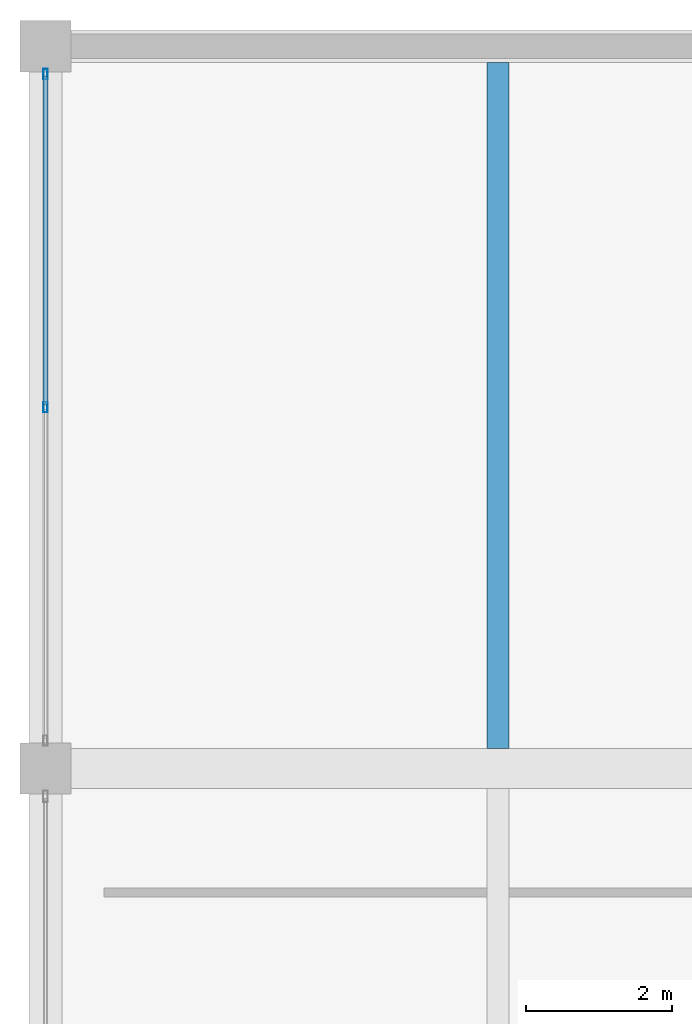
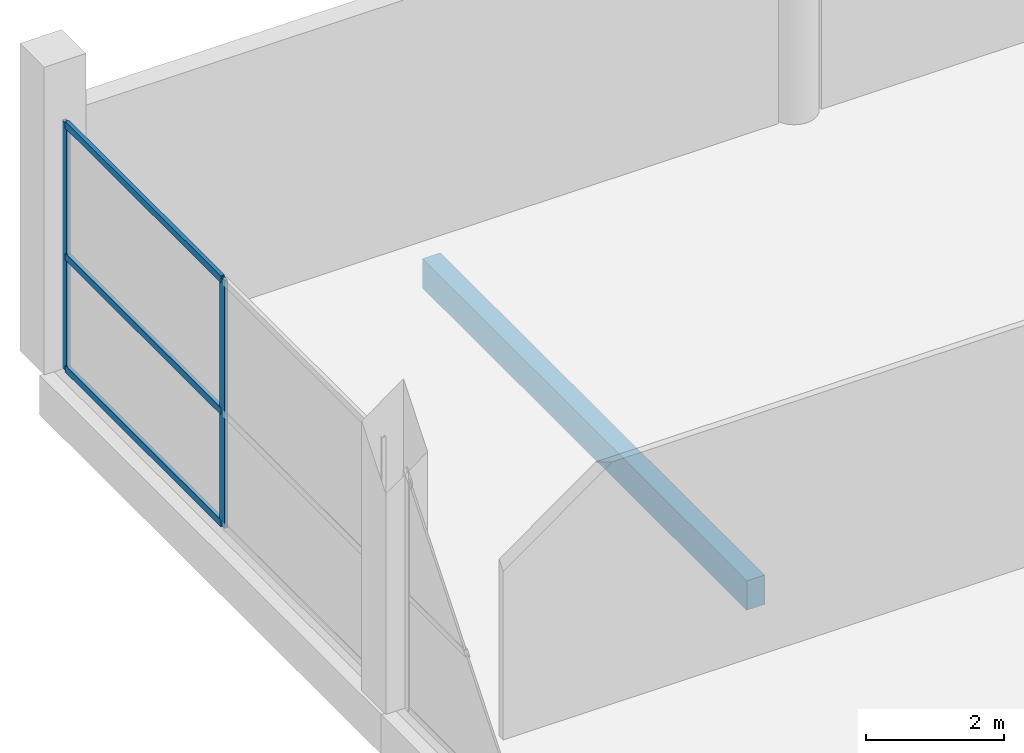
# One storey, part 27 of 72: 5 members, 1 beam, 1 element without a shape of its own.
"""IFC4 building model written with IfcOpenShell, lengths in metres."""

from ifc_helpers import new_model, si_unit, direction, frame, origin, origin_2d, place, context, subcontext, project, spatial, rectangle, hollow_rectangle, extrude, material, layer, layer_set, material_profile, profile_set, type_object, element, aggregate, save


model = new_model("IFC4")

# Units and contexts
model_context = context("Model", 3, precision=1e-05, world=origin(), true_north=direction((0.0, 1.0)))
body_context = subcontext(model_context, "Body", "Model", "MODEL_VIEW")
ifc_project = project(units=[si_unit("LENGTHUNIT", "METRE"), si_unit("AREAUNIT", "SQUARE_METRE"), si_unit("VOLUMEUNIT", "CUBIC_METRE"), si_unit("PLANEANGLEUNIT", "RADIAN"), si_unit("MASSUNIT", "GRAM", prefix="KILO")], contexts=[model_context])

# Site, building, storey
site_placement = place(None, origin())
site = spatial("IfcSite", under=ifc_project, at=site_placement, CompositionType="ELEMENT")
building_placement = place(site_placement, origin())
building = spatial("IfcBuilding", under=site, at=building_placement, Name="Sillaruma Civic Art Gallery", CompositionType="ELEMENT")
storey_placement = place(building_placement, frame((0.0, 0.0, 10.8798828125)))
storey = spatial("IfcBuildingStorey", under=building, at=storey_placement, Name="L02", CompositionType="ELEMENT", Elevation=10.8798828125)

# Beam
ifc_material_1 = material(Name="Concrete H35 (35 MPa)", Category="concrete")
ifc_material_profile_1 = material_profile(ifc_material_1, rectangle(XDim=0.300048828125, YDim=0.52001953125, at=origin_2d()), Name="RCB300x520")
ifc_profile_set_1 = profile_set([ifc_material_profile_1], Name="Concrete H35 (35 MPa)")
beam_type = type_object("IfcBeamType", Name="BM-JOIST-RCB300x520", PredefinedType="JOIST", material=ifc_profile_set_1)
beam_placement = place(storey_placement, frame((6.199951171875, 109.175048828125, -0.519775390625), z_axis=(0.0, 1.0, 0.0), x_axis=(-1.0, 0.0, 0.0)))
element("IfcBeam", 1, at=beam_placement, inside=storey, type_object=beam_type, Name="Floor Joist JR-01 (L01:AB:12-13)", PredefinedType="JOIST", context=body_context, shape_type="SweptSolid", body=[
    extrude(rectangle(XDim=0.300048828125, YDim=0.52001953125, at=origin_2d()), origin(), (0.0, 0.0, 1.0), 9.39990234375),
])

# Curtain wall, members
ifc_material_2 = material(Name="Thermally Broken Extruded Aluminium 6063-T6", Category="aluminium")
ifc_layer = layer(ifc_material_2, 0.139892578125, Name="Thermally Broken Extruded Aluminium 6063-T6")
ifc_layer_set = layer_set([ifc_layer], Name="Thermally Broken Extruded Aluminium 6063-T6")
curtain_wall_type = type_object("IfcCurtainWallType", Name="CW-UNI-11", PredefinedType="NOTDEFINED", material=ifc_layer_set)
curtain_wall_placement = place(storey_placement, origin())
curtain_wall = element("IfcCurtainWall", 2, at=curtain_wall_placement, inside=storey, type_object=curtain_wall_type, Name="Unitised Curtain Wall CW-11 (CW-L02-WSTR-4)", PredefinedType="NOTDEFINED")
ifc_material_profile_2 = material_profile(ifc_material_2, hollow_rectangle(XDim=0.06005859375, YDim=0.139892578125, WallThickness=0.00341796875, at=origin_2d()), Name="CWM60x140")
ifc_profile_set_2 = profile_set([ifc_material_profile_2], Name="Thermally Broken Extruded Aluminium 6063-T6")
member_type_1 = type_object("IfcMemberType", Name="MEM-MUL-CWM60x140", PredefinedType="MULLION", material=ifc_profile_set_2)
member_1_placement = place(storey_placement, frame((0.0, 113.85009765625, 0.0), z_axis=(0.0, 0.0, 1.0), x_axis=(-1.0, 0.0, 0.0)))
member_1 = element("IfcMember", 3, at=member_1_placement, type_object=member_type_1, Name="CW-11 mullion 2", PredefinedType="MULLION", context=body_context, shape_type="SweptSolid", body=[
    extrude(hollow_rectangle(XDim=0.06005859375, YDim=0.139892578125, WallThickness=0.00341796875, at=origin_2d()), origin(), (0.0, 0.0, 1.0), 4.380126953125),
])
member_2_placement = place(storey_placement, frame((0.0, 118.419921875, 0.0), z_axis=(0.0, 0.0, 1.0), x_axis=(-1.0, 0.0, 0.0)))
member_2 = element("IfcMember", 4, at=member_2_placement, type_object=member_type_1, Name="CW-11 mullion 3", PredefinedType="MULLION", context=body_context, shape_type="SweptSolid", body=[
    extrude(hollow_rectangle(XDim=0.06005859375, YDim=0.139892578125, WallThickness=0.00341796875, at=origin_2d()), origin(), (0.0, 0.0, 1.0), 4.380126953125),
])
ifc_material_profile_3 = material_profile(ifc_material_2, hollow_rectangle(XDim=0.06494140625, YDim=0.1201171875, WallThickness=0.00341796875, at=origin_2d()), Name="CWT65x120")
ifc_profile_set_3 = profile_set([ifc_material_profile_3], Name="Thermally Broken Extruded Aluminium 6063-T6")
member_type_2 = type_object("IfcMemberType", Name="MEM-TRN-CWT65x120", PredefinedType="USERDEFINED", material=ifc_profile_set_3)
member_3_placement = place(storey_placement, frame((0.0, 113.8798828125, 0.03271484375), z_axis=(0.0, 1.0, 0.0), x_axis=(-1.0, 0.0, 0.0)))
member_3 = element("IfcMember", 5, at=member_3_placement, type_object=member_type_2, Name="CW-11 transom 2.1", ObjectType="TRANSOM", PredefinedType="USERDEFINED", context=body_context, shape_type="SweptSolid", body=[
    extrude(hollow_rectangle(XDim=0.06494140625, YDim=0.1201171875, WallThickness=0.00341796875, at=origin_2d()), origin(), (0.0, 0.0, 1.0), 4.510009765625),
])
member_4_placement = place(storey_placement, frame((0.0, 113.8798828125, 2.014892578125), z_axis=(0.0, 1.0, 0.0), x_axis=(-1.0, 0.0, 0.0)))
member_4 = element("IfcMember", 6, at=member_4_placement, type_object=member_type_2, Name="CW-11 transom 2.2", ObjectType="TRANSOM", PredefinedType="USERDEFINED", context=body_context, shape_type="SweptSolid", body=[
    extrude(hollow_rectangle(XDim=0.06494140625, YDim=0.1201171875, WallThickness=0.00341796875, at=origin_2d()), origin(), (0.0, 0.0, 1.0), 4.510009765625),
])
member_5_placement = place(storey_placement, frame((0.0, 113.8798828125, 4.34765625), z_axis=(0.0, 1.0, 0.0), x_axis=(-1.0, 0.0, 0.0)))
member_5 = element("IfcMember", 7, at=member_5_placement, type_object=member_type_2, Name="CW-11 transom 2.3", ObjectType="TRANSOM", PredefinedType="USERDEFINED", context=body_context, shape_type="SweptSolid", body=[
    extrude(hollow_rectangle(XDim=0.06494140625, YDim=0.1201171875, WallThickness=0.00341796875, at=origin_2d()), origin(), (0.0, 0.0, 1.0), 4.510009765625),
])
aggregate(curtain_wall, [member_1, member_2, member_3, member_4, member_5])

save(model, "model.ifc")
